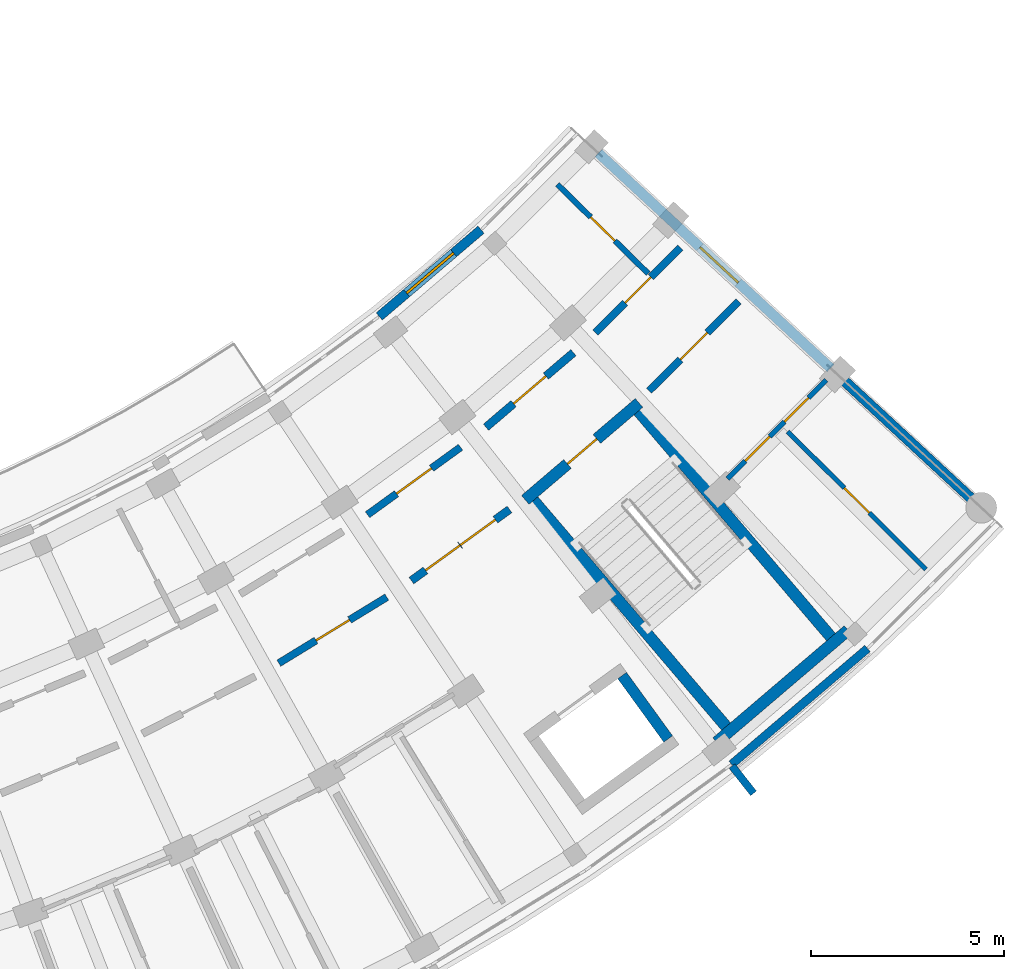
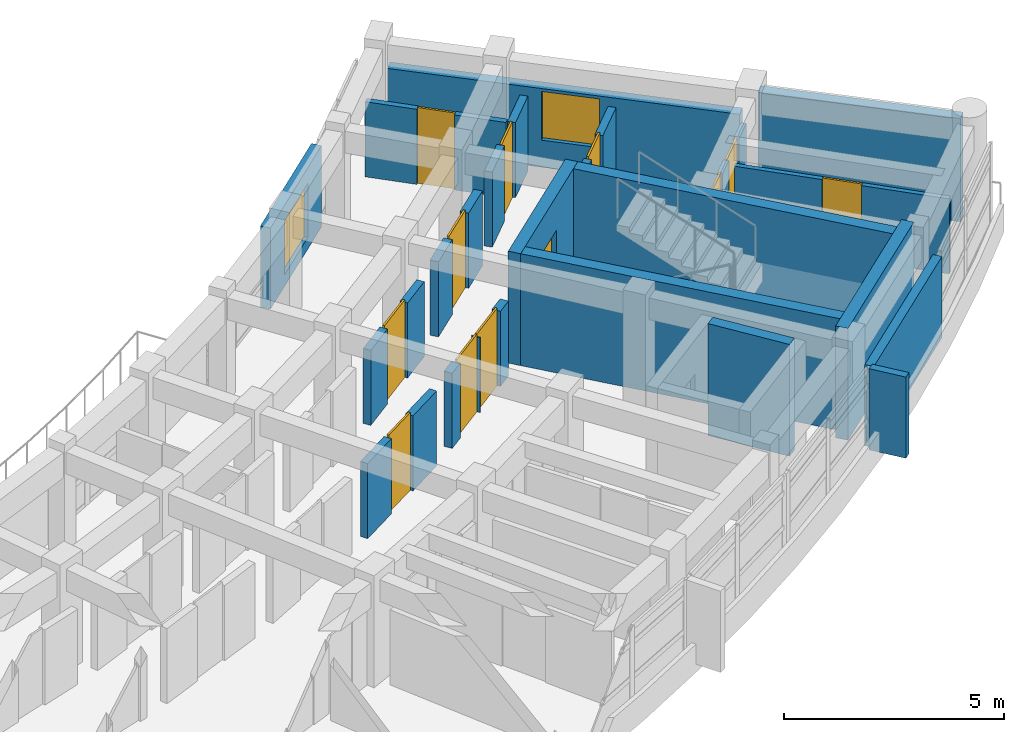
# One storey, part 39 of 56: 19 walls, 12 doors, 2 windows, 14 openings.
"""IFC4 building model written with IfcOpenShell, lengths in metres."""

from ifc_helpers import new_model, si_unit, direction, frame, frame_2d, origin, place, context, subcontext, project, spatial, rectangle, extrude, material, layer, layer_set, type_object, element, fill, save


model = new_model("IFC4")

# Units and contexts
model_context = context("Model", 3, precision=1e-05, world=origin(), true_north=direction((0.0, 1.0)))
body_context = subcontext(model_context, "Body", "Model", "MODEL_VIEW")
ifc_project = project(units=[si_unit("LENGTHUNIT", "METRE"), si_unit("AREAUNIT", "SQUARE_METRE"), si_unit("VOLUMEUNIT", "CUBIC_METRE"), si_unit("PLANEANGLEUNIT", "RADIAN"), si_unit("MASSUNIT", "GRAM", prefix="KILO")], contexts=[model_context])

# Site, building, storey
site_placement = place(None, origin())
site = spatial("IfcSite", under=ifc_project, at=site_placement, CompositionType="ELEMENT")
building_placement = place(site_placement, origin())
building = spatial("IfcBuilding", under=site, at=building_placement, Name="Zimvara Arc Housing Community", CompositionType="ELEMENT")
storey_placement = place(building_placement, frame((0.0, 0.0, 17.39990234375)))
storey = spatial("IfcBuildingStorey", under=building, at=storey_placement, Name="L05", CompositionType="ELEMENT", Elevation=17.39990234375)

# Wall
ifc_material_1 = material(Name="Board-Marked Fair-Faced Concrete C35/45", Category="concrete")
ifc_layer_1 = layer(ifc_material_1, 0.219970703125)
ifc_layer_set_1 = layer_set([ifc_layer_1], Name="Board-Marked Fair-Faced Concrete C35/45")
wall_type_1 = type_object("IfcWallType", Name="EWL-CONC-220", PredefinedType="SOLIDWALL", material=ifc_layer_set_1)
wall_1_placement = place(storey_placement, frame((162.71630859375, 63.208740234375, 0.0), z_axis=(0.0, 0.0, 1.0), x_axis=(0.760968923704, 0.64878833001, 0.0)))
element("IfcWall", 1, at=wall_1_placement, inside=storey, type_object=wall_type_1, Name="ewall:blkD:L05:out:b8", PredefinedType="SOLIDWALL", context=body_context, shape_type="SweptSolid", body=[
    extrude(rectangle(XDim=4.62255859375, YDim=0.219970703125, at=frame_2d((2.311279296875, 0.0))), origin(), (0.0, 0.0, 1.0), 2.25),
])

# Wall, opening, window
ifc_material_2 = material(Name="Board-Marked Fair-Faced Concrete C35/45", Category="concrete")
ifc_layer_2 = layer(ifc_material_2, 0.264892578125)
ifc_layer_set_2 = layer_set([ifc_layer_2], Name="Board-Marked Fair-Faced Concrete C35/45")
wall_type_2 = type_object("IfcWallType", Name="EWL-CONC-265", PredefinedType="SOLIDWALL", material=ifc_layer_set_2)
wall_2_placement = place(storey_placement, frame((159.261962890625, 79.04052734375, 0.0), z_axis=(0.0, 0.0, 1.0), x_axis=(0.733738684326, -0.679431779595, 0.0)))
wall_2 = element("IfcWall", 2, at=wall_2_placement, inside=storey, type_object=wall_type_2, Name="ewall:blkD:L05:gN", PredefinedType="SOLIDWALL", context=body_context, shape_type="SweptSolid", body=[
    extrude(rectangle(XDim=8.199951171875, YDim=0.264892578125, at=frame_2d((4.10009765625, 0.0))), origin(), (0.0, 0.0, 1.0), 2.18017578125),
])
opening_1_placement = place(wall_2_placement, frame((3.590087890625, 0.0, 0.75)))
opening_1 = element("IfcOpeningElement", 3, at=opening_1_placement, cuts=wall_2, Name="Opening W12", PredefinedType="OPENING", context=body_context, shape_type="SweptSolid", body=[
    extrude(rectangle(XDim=1.35009765625, YDim=1.35009765625, at=frame_2d((0.675048828125, 0.675048828125))), frame((0.0, 0.142333984375, 0.0), z_axis=(0.0, -1.0, 0.0), x_axis=(1.0, 0.0, 0.0)), (0.0, 0.0, 1.0), 0.284912109375),
])
ifc_material_3 = material(Name="Solar Control Low-E Double Glazing", Category="glass")
window_type_1 = type_object("IfcWindowType", Name="WIN-RES-1350x1350", PartitioningType="DOUBLE_PANEL_VERTICAL", PredefinedType="WINDOW", material=ifc_material_3)
window_1_placement = place(opening_1_placement, origin())
window_1 = element("IfcWindow", 4, at=window_1_placement, inside=storey, type_object=window_type_1, Name="win:blkD:L05:gN:w", OverallHeight=1.35009765625, OverallWidth=1.35009765625, PartitioningType="DOUBLE_PANEL_VERTICAL", PredefinedType="WINDOW", context=body_context, shape_type="SweptSolid", body=[
    extrude(rectangle(XDim=1.35009765625, YDim=1.35009765625, at=frame_2d((0.675048828125, 0.675048828125))), frame((0.0, 0.030029296875, 0.0), z_axis=(0.0, -1.0, 0.0), x_axis=(1.0, 0.0, 0.0)), (0.0, 0.0, 1.0), 0.06005859375),
])
fill(opening_1, window_1)

# Wall
ifc_material_4 = material(Name="Board-Marked Fair-Faced Concrete C35/45", Category="concrete")
ifc_layer_3 = layer(ifc_material_4, 0.195068359375)
ifc_layer_set_3 = layer_set([ifc_layer_3], Name="Board-Marked Fair-Faced Concrete C35/45")
wall_type_3 = type_object("IfcWallType", Name="EWL-PARA-195", PredefinedType="PARAPET", material=ifc_layer_set_3)
wall_3_placement = place(storey_placement, frame((162.725830078125, 63.164306640625, 0.0), z_axis=(0.0, 0.0, 1.0), x_axis=(0.618456270212, -0.785819217019, 0.0)))
element("IfcWall", 5, at=wall_3_placement, inside=storey, type_object=wall_type_3, Name="finwall:blkD:L05:out:b8", PredefinedType="PARAPET", context=body_context, shape_type="SweptSolid", body=[
    extrude(rectangle(XDim=0.900146484375, YDim=0.195068359375, at=frame_2d((0.4501953125, 0.0))), origin(), (0.0, 0.0, 1.0), 2.25),
])

# Wall, opening, window
ifc_material_5 = material(Name="Pigmented Fair-Faced Concrete C35/45", Category="concrete")
ifc_layer_4 = layer(ifc_material_5, 0.2451171875)
ifc_layer_set_4 = layer_set([ifc_layer_4], Name="Pigmented Fair-Faced Concrete C35/45")
wall_type_4 = type_object("IfcWallType", Name="EWL-PIGM-245", PredefinedType="SOLIDWALL", material=ifc_layer_set_4)
wall_4_placement = place(storey_placement, frame((153.588623046875, 74.80810546875, 0.0), z_axis=(0.0, 0.0, 1.0), x_axis=(0.760985425115, 0.648768974876, 0.0)))
wall_4 = element("IfcWall", 6, at=wall_4_placement, inside=storey, type_object=wall_type_4, Name="ewall:blkD:L05:in:b8", PredefinedType="SOLIDWALL", context=body_context, shape_type="SweptSolid", body=[
    extrude(rectangle(XDim=3.463623046875, YDim=0.2451171875, at=frame_2d((1.73193359375, 0.0))), origin(), (0.0, 0.0, 1.0), 2.25),
])
opening_2_placement = place(wall_4_placement, frame((0.931884765625, 0.0, 0.320068359375)))
opening_2 = element("IfcOpeningElement", 7, at=opening_2_placement, cuts=wall_4, Name="Opening W03", PredefinedType="OPENING", context=body_context, shape_type="SweptSolid", body=[
    extrude(rectangle(XDim=1.60009765625, YDim=1.5, at=frame_2d((0.800048828125, 0.75))), frame((0.0, 0.132568359375, 0.0), z_axis=(0.0, -1.0, 0.0), x_axis=(1.0, 0.0, 0.0)), (0.0, 0.0, 1.0), 0.26513671875),
])
ifc_material_6 = material(Name="Solar Control Low-E Double Glazing", Category="glass")
window_type_2 = type_object("IfcWindowType", Name="WIN-RES-1600x1500", PartitioningType="DOUBLE_PANEL_VERTICAL", PredefinedType="WINDOW", material=ifc_material_6)
window_2_placement = place(opening_2_placement, origin())
window_2 = element("IfcWindow", 8, at=window_2_placement, inside=storey, type_object=window_type_2, Name="win:blkD:L05:in:b8", OverallHeight=1.5, OverallWidth=1.60009765625, PartitioningType="DOUBLE_PANEL_VERTICAL", PredefinedType="WINDOW", context=body_context, shape_type="SweptSolid", body=[
    extrude(rectangle(XDim=1.60009765625, YDim=1.5, at=frame_2d((0.800048828125, 0.75))), frame((0.0, 0.030029296875, 0.0), z_axis=(0.0, -1.0, 0.0), x_axis=(1.0, 0.0, 0.0)), (0.0, 0.0, 1.0), 0.06005859375),
])
fill(opening_2, window_2)

# Wall, openings, doors
ifc_material_7 = material(Name="Concrete C35/45", Category="concrete")
ifc_layer_5 = layer(ifc_material_7, 0.2099609375)
ifc_layer_set_5 = layer_set([ifc_layer_5], Name="Concrete C35/45")
wall_type_5 = type_object("IfcWallType", Name="IWL-CCF-210", PredefinedType="SOLIDWALL", material=ifc_layer_set_5)
wall_5_placement = place(storey_placement, frame((154.4228515625, 67.968017578125, 0.0), z_axis=(0.0, 0.0, 1.0), x_axis=(0.809516127005, 0.587097641043, 0.0)))
wall_5 = element("IfcWall", 9, at=wall_5_placement, inside=storey, type_object=wall_type_5, Name="iwall:blkD:L05:ll_div:b7", PredefinedType="SOLIDWALL", context=body_context, shape_type="SweptSolid", body=[
    extrude(rectangle(XDim=3.13720703125, YDim=0.2099609375, at=frame_2d((1.568603515625, 0.0))), origin(), (0.0, 0.0, 1.0), 2.080078125),
])
opening_3_placement = place(wall_5_placement, frame((0.449951171875, 0.0, 0.0)))
opening_3 = element("IfcOpeningElement", 10, at=opening_3_placement, cuts=wall_5, Name="Opening FD-CCF1", PredefinedType="OPENING", context=body_context, shape_type="SweptSolid", body=[
    extrude(rectangle(XDim=1.10009765625, YDim=2.14990234375, at=frame_2d((0.550048828125, 1.074951171875))), frame((0.0, 0.114990234375, 0.0), z_axis=(0.0, -1.0, 0.0), x_axis=(1.0, 0.0, 0.0)), (0.0, 0.0, 1.0), 0.22998046875),
])
opening_4_placement = place(wall_5_placement, frame((1.56689453125, 0.0, 0.0)))
opening_4 = element("IfcOpeningElement", 11, at=opening_4_placement, cuts=wall_5, Name="Opening D07", PredefinedType="OPENING", context=body_context, shape_type="SweptSolid", body=[
    extrude(rectangle(XDim=1.1201171875, YDim=2.14990234375, at=frame_2d((0.56005859375, 1.074951171875))), frame((0.0, 0.114990234375, 0.0), z_axis=(0.0, -1.0, 0.0), x_axis=(1.0, 0.0, 0.0)), (0.0, 0.0, 1.0), 0.22998046875),
])
ifc_material_8 = material(Name="Mozambican Hardwood", Category="wood")
door_type_1 = type_object("IfcDoorType", Name="IDR-AMN-1120x2150", OperationType="NOTDEFINED", PredefinedType="DOOR", material=ifc_material_8)
door_1_placement = place(opening_4_placement, origin())
door_1 = element("IfcDoor", 12, at=door_1_placement, inside=storey, type_object=door_type_1, Name="idoor:blkD:L05:rs_in:b7", OperationType="SINGLE_SWING_LEFT", OverallHeight=2.14990234375, OverallWidth=1.1201171875, PredefinedType="DOOR", context=body_context, shape_type="SweptSolid", body=[
    extrude(rectangle(XDim=1.1201171875, YDim=2.14990234375, at=frame_2d((0.56005859375, 1.074951171875))), frame((0.0, 0.02490234375, 0.0), z_axis=(0.0, -1.0, 0.0), x_axis=(1.0, 0.0, 0.0)), (0.0, 0.0, 1.0), 0.050048828125),
])
fill(opening_4, door_1)
ifc_material_9 = material(Name="Anodised Aluminium AW-6063", Category="aluminium")
door_type_2 = type_object("IfcDoorType", Name="IDR-CCF-1100x2150", OperationType="NOTDEFINED", PredefinedType="DOOR", material=ifc_material_9)
door_2_placement = place(opening_3_placement, origin())
door_2 = element("IfcDoor", 13, at=door_2_placement, inside=storey, type_object=door_type_2, Name="idoor:blkD:L05:ll_in:b7", OperationType="SINGLE_SWING_RIGHT", OverallHeight=2.14990234375, OverallWidth=1.10009765625, PredefinedType="DOOR", context=body_context, shape_type="SweptSolid", body=[
    extrude(rectangle(XDim=1.10009765625, YDim=2.14990234375, at=frame_2d((0.550048828125, 1.074951171875))), frame((0.0, 0.02490234375, 0.0), z_axis=(0.0, -1.0, 0.0), x_axis=(1.0, 0.0, 0.0)), (0.0, 0.0, 1.0), 0.050048828125),
])
fill(opening_3, door_2)

# Wall, opening, door
wall_6_placement = place(storey_placement, frame((156.354248046875, 71.93994140625, 0.0), z_axis=(0.0, 0.0, 1.0), x_axis=(0.760991187621, 0.648762215579, 0.0)))
wall_6 = element("IfcWall", 14, at=wall_6_placement, inside=storey, type_object=wall_type_5, Name="iwall:blkD:L05:ccf_div:b8", PredefinedType="SOLIDWALL", context=body_context, shape_type="SweptSolid", body=[
    extrude(rectangle(XDim=2.975830078125, YDim=0.2099609375, at=frame_2d((1.48779296875, 0.0))), origin(), (0.0, 0.0, 1.0), 2.080078125),
])
opening_5_placement = place(wall_6_placement, frame((0.93798828125, 0.0, 0.0)))
opening_5 = element("IfcOpeningElement", 15, at=opening_5_placement, cuts=wall_6, Name="Opening FD-CCF1", PredefinedType="OPENING", context=body_context, shape_type="SweptSolid", body=[
    extrude(rectangle(XDim=1.10009765625, YDim=2.14990234375, at=frame_2d((0.550048828125, 1.074951171875))), frame((0.0, 0.114990234375, 0.0), z_axis=(0.0, -1.0, 0.0), x_axis=(1.0, 0.0, 0.0)), (0.0, 0.0, 1.0), 0.22998046875),
])
door_3_placement = place(opening_5_placement, origin())
door_3 = element("IfcDoor", 16, at=door_3_placement, inside=storey, type_object=door_type_2, Name="idoor:blkD:L05:ccf_in:b8", OperationType="SINGLE_SWING_LEFT", OverallHeight=2.14990234375, OverallWidth=1.10009765625, PredefinedType="DOOR", context=body_context, shape_type="SweptSolid", body=[
    extrude(rectangle(XDim=1.10009765625, YDim=2.14990234375, at=frame_2d((0.550048828125, 1.074951171875))), frame((0.0, 0.02490234375, 0.0), z_axis=(0.0, -1.0, 0.0), x_axis=(1.0, 0.0, 0.0)), (0.0, 0.0, 1.0), 0.050048828125),
])
fill(opening_5, door_3)

ifc_material_10 = material(Name="Concrete C35/45", Category="concrete")
ifc_layer_6 = layer(ifc_material_10, 0.18994140625)
ifc_layer_set_6 = layer_set([ifc_layer_6], Name="Concrete C35/45")
wall_type_6 = type_object("IfcWallType", Name="IWL-CORR-190", PredefinedType="SOLIDWALL", material=ifc_layer_set_6)
wall_7_placement = place(storey_placement, frame((150.98876953125, 65.8291015625, 0.0), z_axis=(0.0, 0.0, 1.0), x_axis=(0.853090237845, 0.521763400492, 0.0)))
wall_7 = element("IfcWall", 17, at=wall_7_placement, inside=storey, type_object=wall_type_6, Name="iwall:blkD:L05:corr_out:b6", PredefinedType="SOLIDWALL", context=body_context, shape_type="SweptSolid", body=[
    extrude(rectangle(XDim=3.27685546875, YDim=0.18994140625, at=frame_2d((1.638427734375, 0.0))), origin(), (0.0, 0.0, 1.0), 2.080078125),
])
opening_6_placement = place(wall_7_placement, frame((1.12841796875, 0.0, 0.0)))
opening_6 = element("IfcOpeningElement", 18, at=opening_6_placement, cuts=wall_7, Name="Opening FD-FL2", PredefinedType="OPENING", context=body_context, shape_type="SweptSolid", body=[
    extrude(rectangle(XDim=1.02001953125, YDim=2.14990234375, at=frame_2d((0.510009765625, 1.074951171875))), frame((0.0, 0.10498046875, 0.0), z_axis=(0.0, -1.0, 0.0), x_axis=(1.0, 0.0, 0.0)), (0.0, 0.0, 1.0), 0.2099609375),
])
ifc_material_11 = material(Name="Mozambican Hardwood", Category="wood")
door_type_3 = type_object("IfcDoorType", Name="IDR-FLAT-1020x2150", OperationType="NOTDEFINED", PredefinedType="DOOR", material=ifc_material_11)
door_4_placement = place(opening_6_placement, origin())
door_4 = element("IfcDoor", 19, at=door_4_placement, inside=storey, type_object=door_type_3, Name="idoor:blkD:L05:flat:b6", OperationType="SINGLE_SWING_LEFT", OverallHeight=2.14990234375, OverallWidth=1.02001953125, PredefinedType="DOOR", context=body_context, shape_type="SweptSolid", body=[
    extrude(rectangle(XDim=1.02001953125, YDim=2.14990234375, at=frame_2d((0.510009765625, 1.074951171875))), frame((0.0, 0.02490234375, 0.0), z_axis=(0.0, -1.0, 0.0), x_axis=(1.0, 0.0, 0.0)), (0.0, 0.0, 1.0), 0.050048828125),
])
fill(opening_6, door_4)

wall_8_placement = place(storey_placement, frame((153.285400390625, 69.673583984375, 0.0), z_axis=(0.0, 0.0, 1.0), x_axis=(0.809505174959, 0.587112741911, 0.0)))
wall_8 = element("IfcWall", 20, at=wall_8_placement, inside=storey, type_object=wall_type_6, Name="iwall:blkD:L05:ra_div:b7", PredefinedType="SOLIDWALL", context=body_context, shape_type="SweptSolid", body=[
    extrude(rectangle(XDim=2.97607421875, YDim=0.18994140625, at=frame_2d((1.488037109375, 0.0))), origin(), (0.0, 0.0, 1.0), 2.080078125),
])
opening_7_placement = place(wall_8_placement, frame((0.927978515625, 0.0, 0.0)))
opening_7 = element("IfcOpeningElement", 21, at=opening_7_placement, cuts=wall_8, Name="Opening D07", PredefinedType="OPENING", context=body_context, shape_type="SweptSolid", body=[
    extrude(rectangle(XDim=1.1201171875, YDim=2.14990234375, at=frame_2d((0.56005859375, 1.074951171875))), frame((0.0, 0.10498046875, 0.0), z_axis=(0.0, -1.0, 0.0), x_axis=(1.0, 0.0, 0.0)), (0.0, 0.0, 1.0), 0.2099609375),
])
door_5_placement = place(opening_7_placement, origin())
door_5 = element("IfcDoor", 22, at=door_5_placement, inside=storey, type_object=door_type_1, Name="idoor:blkD:L05:ra_d:b7", OperationType="SINGLE_SWING_RIGHT", OverallHeight=2.14990234375, OverallWidth=1.1201171875, PredefinedType="DOOR", context=body_context, shape_type="SweptSolid", body=[
    extrude(rectangle(XDim=1.1201171875, YDim=2.14990234375, at=frame_2d((0.56005859375, 1.074951171875))), frame((0.0, 0.02490234375, 0.0), z_axis=(0.0, -1.0, 0.0), x_axis=(1.0, 0.0, 0.0)), (0.0, 0.0, 1.0), 0.050048828125),
])
fill(opening_7, door_5)

wall_9_placement = place(storey_placement, frame((160.576416015625, 72.8837890625, 0.0), z_axis=(0.0, 0.0, 1.0), x_axis=(0.70773973846, 0.706473256822, 0.0)))
wall_9 = element("IfcWall", 23, at=wall_9_placement, inside=storey, type_object=wall_type_6, Name="iwall:blkD:L05:corr_out:b9", PredefinedType="SOLIDWALL", context=body_context, shape_type="SweptSolid", body=[
    extrude(rectangle(XDim=3.277099609375, YDim=0.18994140625, at=frame_2d((1.638671875, 0.0))), origin(), (0.0, 0.0, 1.0), 2.080078125),
])
opening_8_placement = place(wall_9_placement, frame((1.1484375, 0.0, 0.0)))
opening_8 = element("IfcOpeningElement", 24, at=opening_8_placement, cuts=wall_9, Name="Opening FD-FL1", PredefinedType="OPENING", context=body_context, shape_type="SweptSolid", body=[
    extrude(rectangle(XDim=0.97998046875, YDim=2.14990234375, at=frame_2d((0.489990234375, 1.074951171875))), frame((0.0, 0.10498046875, 0.0), z_axis=(0.0, -1.0, 0.0), x_axis=(1.0, 0.0, 0.0)), (0.0, 0.0, 1.0), 0.2099609375),
])
ifc_material_12 = material(Name="Mozambican Hardwood", Category="wood")
door_type_4 = type_object("IfcDoorType", Name="IDR-FLAT-0980x2150", OperationType="NOTDEFINED", PredefinedType="DOOR", material=ifc_material_12)
door_6_placement = place(opening_8_placement, origin())
door_6 = element("IfcDoor", 25, at=door_6_placement, inside=storey, type_object=door_type_4, Name="idoor:blkD:L05:flat:b9", OperationType="SINGLE_SWING_RIGHT", OverallHeight=2.14990234375, OverallWidth=0.97998046875, PredefinedType="DOOR", context=body_context, shape_type="SweptSolid", body=[
    extrude(rectangle(XDim=0.97998046875, YDim=2.14990234375, at=frame_2d((0.489990234375, 1.074951171875))), frame((0.0, 0.02490234375, 0.0), z_axis=(0.0, -1.0, 0.0), x_axis=(1.0, 0.0, 0.0)), (0.0, 0.0, 1.0), 0.050048828125),
])
fill(opening_8, door_6)

wall_10_placement = place(storey_placement, frame((159.186279296875, 74.390380859375, 0.0), z_axis=(0.0, 0.0, 1.0), x_axis=(0.70773330139, 0.706479705373, 0.0)))
wall_10 = element("IfcWall", 26, at=wall_10_placement, inside=storey, type_object=wall_type_6, Name="iwall:blkD:L05:corr_in:b9", PredefinedType="SOLIDWALL", context=body_context, shape_type="SweptSolid", body=[
    extrude(rectangle(XDim=3.115966796875, YDim=0.18994140625, at=frame_2d((1.55810546875, 0.0))), origin(), (0.0, 0.0, 1.0), 2.080078125),
])
opening_9_placement = place(wall_10_placement, frame((1.087890625, 0.0, 0.0)))
opening_9 = element("IfcOpeningElement", 27, at=opening_9_placement, cuts=wall_10, Name="Opening D03", PredefinedType="OPENING", context=body_context, shape_type="SweptSolid", body=[
    extrude(rectangle(XDim=0.93994140625, YDim=2.10009765625, at=frame_2d((0.469970703125, 1.050048828125))), frame((0.0, 0.10498046875, 0.0), z_axis=(0.0, -1.0, 0.0), x_axis=(1.0, 0.0, 0.0)), (0.0, 0.0, 1.0), 0.2099609375),
])
ifc_material_13 = material(Name="Mozambican Hardwood", Category="wood")
door_type_5 = type_object("IfcDoorType", Name="IDR-RM-0940x2100", OperationType="NOTDEFINED", PredefinedType="DOOR", material=ifc_material_13)
door_7_placement = place(opening_9_placement, origin())
door_7 = element("IfcDoor", 28, at=door_7_placement, inside=storey, type_object=door_type_5, Name="idoor:blkD:L05:in_rm:b9", OperationType="SINGLE_SWING_LEFT", OverallHeight=2.10009765625, OverallWidth=0.93994140625, PredefinedType="DOOR", context=body_context, shape_type="SweptSolid", body=[
    extrude(rectangle(XDim=0.93994140625, YDim=2.10009765625, at=frame_2d((0.469970703125, 1.050048828125))), frame((0.0, 0.02490234375, 0.0), z_axis=(0.0, -1.0, 0.0), x_axis=(1.0, 0.0, 0.0)), (0.0, 0.0, 1.0), 0.050048828125),
])
fill(opening_9, door_7)

ifc_material_14 = material(Name="Painted Acoustic Plasterboard")
ifc_layer_7 = layer(ifc_material_14, 0.1201171875)
ifc_layer_set_7 = layer_set([ifc_layer_7], Name="Painted Acoustic Plasterboard")
wall_type_7 = type_object("IfcWallType", Name="IWL-PART-120", PredefinedType="PARTITIONING", material=ifc_layer_set_7)
wall_11_placement = place(storey_placement, frame((164.169921875, 71.823974609375, 0.0), z_axis=(0.0, 0.0, 1.0), x_axis=(0.708531494679, -0.70567919131, 0.0)))
wall_11 = element("IfcWall", 29, at=wall_11_placement, inside=storey, type_object=wall_type_7, Name="iwall:blkD:L05:bed_div:b9", PredefinedType="PARTITIONING", context=body_context, shape_type="SweptSolid", body=[
    extrude(rectangle(XDim=5.050048828125, YDim=0.1201171875, at=frame_2d((2.52490234375, 0.0))), origin(), (0.0, 0.0, 1.0), 2.080078125),
])
opening_10_placement = place(wall_11_placement, frame((2.06494140625, 0.0, 0.0)))
opening_10 = element("IfcOpeningElement", 30, at=opening_10_placement, cuts=wall_11, Name="Opening D02", PredefinedType="OPENING", context=body_context, shape_type="SweptSolid", body=[
    extrude(rectangle(XDim=0.919921875, YDim=2.10009765625, at=frame_2d((0.4599609375, 1.050048828125))), frame((0.0, 0.070068359375, 0.0), z_axis=(0.0, -1.0, 0.0), x_axis=(1.0, 0.0, 0.0)), (0.0, 0.0, 1.0), 0.14013671875),
])
ifc_material_15 = material(Name="Mozambican Hardwood", Category="wood")
door_type_6 = type_object("IfcDoorType", Name="IDR-RM-0920x2100", OperationType="NOTDEFINED", PredefinedType="DOOR", material=ifc_material_15)
door_8_placement = place(opening_10_placement, origin())
door_8 = element("IfcDoor", 31, at=door_8_placement, inside=storey, type_object=door_type_6, Name="idoor:blkD:L05:bed_d:b9", OperationType="SINGLE_SWING_LEFT", OverallHeight=2.10009765625, OverallWidth=0.919921875, PredefinedType="DOOR", context=body_context, shape_type="SweptSolid", body=[
    extrude(rectangle(XDim=0.919921875, YDim=2.10009765625, at=frame_2d((0.4599609375, 1.050048828125))), frame((0.0, 0.02490234375, 0.0), z_axis=(0.0, -1.0, 0.0), x_axis=(1.0, 0.0, 0.0)), (0.0, 0.0, 1.0), 0.050048828125),
])
fill(opening_10, door_8)

# Wall, openings, doors
ifc_material_16 = material(Name="Painted Acoustic Plasterboard")
ifc_layer_8 = layer(ifc_material_16, 0.125)
ifc_layer_set_8 = layer_set([ifc_layer_8], Name="Painted Acoustic Plasterboard")
wall_type_8 = type_object("IfcWallType", Name="IWL-PART-125", PredefinedType="PARTITIONING", material=ifc_layer_set_8)
wall_12_placement = place(storey_placement, frame((162.609375, 70.60693359375, 0.0), z_axis=(0.0, 0.0, 1.0), x_axis=(0.707714058013, 0.70649898237, 0.0)))
wall_12 = element("IfcWall", 32, at=wall_12_placement, inside=storey, type_object=wall_type_8, Name="iwall:blkD:L05:srv:b9", PredefinedType="PARTITIONING", context=body_context, shape_type="SweptSolid", body=[
    extrude(rectangle(XDim=3.61669921875, YDim=0.125, at=frame_2d((1.808349609375, 0.0))), origin(), (0.0, 0.0, 1.0), 2.080078125),
])
opening_11_placement = place(wall_12_placement, frame((0.64990234375, 0.0, 0.0)))
opening_11 = element("IfcOpeningElement", 33, at=opening_11_placement, cuts=wall_12, Name="Opening D01", PredefinedType="OPENING", context=body_context, shape_type="SweptSolid", body=[
    extrude(rectangle(XDim=0.89990234375, YDim=2.10009765625, at=frame_2d((0.449951171875, 1.050048828125))), frame((0.0, 0.072509765625, 0.0), z_axis=(0.0, -1.0, 0.0), x_axis=(1.0, 0.0, 0.0)), (0.0, 0.0, 1.0), 0.14501953125),
])
opening_12_placement = place(wall_12_placement, frame((2.08642578125, 0.0, 0.0)))
opening_12 = element("IfcOpeningElement", 34, at=opening_12_placement, cuts=wall_12, Name="Opening D05", PredefinedType="OPENING", context=body_context, shape_type="SweptSolid", body=[
    extrude(rectangle(XDim=0.8798828125, YDim=2.10009765625, at=frame_2d((0.43994140625, 1.050048828125))), frame((0.0, 0.072509765625, 0.0), z_axis=(0.0, -1.0, 0.0), x_axis=(1.0, 0.0, 0.0)), (0.0, 0.0, 1.0), 0.14501953125),
])
ifc_material_17 = material(Name="Mozambican Hardwood", Category="wood")
door_type_7 = type_object("IfcDoorType", Name="IDR-RM-0900x2100", OperationType="NOTDEFINED", PredefinedType="DOOR", material=ifc_material_17)
door_9_placement = place(opening_11_placement, origin())
door_9 = element("IfcDoor", 35, at=door_9_placement, inside=storey, type_object=door_type_7, Name="idoor:blkD:L05:kit_liv:b9", OperationType="SINGLE_SWING_LEFT", OverallHeight=2.10009765625, OverallWidth=0.89990234375, PredefinedType="DOOR", context=body_context, shape_type="SweptSolid", body=[
    extrude(rectangle(XDim=0.89990234375, YDim=2.10009765625, at=frame_2d((0.449951171875, 1.050048828125))), frame((0.0, 0.02490234375, 0.0), z_axis=(0.0, -1.0, 0.0), x_axis=(1.0, 0.0, 0.0)), (0.0, 0.0, 1.0), 0.050048828125),
])
fill(opening_11, door_9)
ifc_material_18 = material(Name="Mozambican Hardwood", Category="wood")
door_type_8 = type_object("IfcDoorType", Name="IDR-WC-0880x2100", OperationType="NOTDEFINED", PredefinedType="DOOR", material=ifc_material_18)
door_10_placement = place(opening_12_placement, origin())
door_10 = element("IfcDoor", 36, at=door_10_placement, inside=storey, type_object=door_type_8, Name="idoor:blkD:L05:bath_d:b9", OperationType="SINGLE_SWING_RIGHT", OverallHeight=2.10009765625, OverallWidth=0.8798828125, PredefinedType="DOOR", context=body_context, shape_type="SweptSolid", body=[
    extrude(rectangle(XDim=0.8798828125, YDim=2.10009765625, at=frame_2d((0.43994140625, 1.050048828125))), frame((0.0, 0.02490234375, 0.0), z_axis=(0.0, -1.0, 0.0), x_axis=(1.0, 0.0, 0.0)), (0.0, 0.0, 1.0), 0.050048828125),
])
fill(opening_12, door_10)

# Wall, opening, door
ifc_material_19 = material(Name="Painted Acoustic Plasterboard")
ifc_layer_9 = layer(ifc_material_19, 0.14501953125)
ifc_layer_set_9 = layer_set([ifc_layer_9], Name="Painted Acoustic Plasterboard")
wall_type_9 = type_object("IfcWallType", Name="IWL-WET-145", PredefinedType="PARTITIONING", material=ifc_layer_set_9)
wall_13_placement = place(storey_placement, frame((158.19970703125, 78.23046875, 0.0), z_axis=(0.0, 0.0, 1.0), x_axis=(0.713587506757, -0.700566106945, 0.0)))
wall_13 = element("IfcWall", 37, at=wall_13_placement, inside=storey, type_object=wall_type_9, Name="iwall:blkD:L05:ens:b9", PredefinedType="PARTITIONING", context=body_context, shape_type="SweptSolid", body=[
    extrude(rectangle(XDim=3.2998046875, YDim=0.14501953125, at=frame_2d((1.64990234375, 0.0))), origin(), (0.0, 0.0, 1.0), 2.080078125),
])
opening_13_placement = place(wall_13_placement, frame((1.2099609375, 0.0, 0.0)))
opening_13 = element("IfcOpeningElement", 38, at=opening_13_placement, cuts=wall_13, Name="Opening D05", PredefinedType="OPENING", context=body_context, shape_type="SweptSolid", body=[
    extrude(rectangle(XDim=0.8798828125, YDim=2.10009765625, at=frame_2d((0.43994140625, 1.050048828125))), frame((0.0, 0.08251953125, 0.0), z_axis=(0.0, -1.0, 0.0), x_axis=(1.0, 0.0, 0.0)), (0.0, 0.0, 1.0), 0.1650390625),
])
door_11_placement = place(opening_13_placement, origin())
door_11 = element("IfcDoor", 39, at=door_11_placement, inside=storey, type_object=door_type_8, Name="idoor:blkD:L05:ens_d:b9", OperationType="SINGLE_SWING_RIGHT", OverallHeight=2.10009765625, OverallWidth=0.8798828125, PredefinedType="DOOR", context=body_context, shape_type="SweptSolid", body=[
    extrude(rectangle(XDim=0.8798828125, YDim=2.10009765625, at=frame_2d((0.43994140625, 1.050048828125))), frame((0.0, 0.02490234375, 0.0), z_axis=(0.0, -1.0, 0.0), x_axis=(1.0, 0.0, 0.0)), (0.0, 0.0, 1.0), 0.050048828125),
])
fill(opening_13, door_11)

# Wall
ifc_material_20 = material(Name="Concrete C40/50", Category="concrete")
ifc_layer_10 = layer(ifc_material_20, 0.280029296875)
ifc_layer_set_10 = layer_set([ifc_layer_10], Name="Concrete C40/50")
wall_type_10 = type_object("IfcWallType", Name="WL-CORE-280", PredefinedType="SHEAR", material=ifc_layer_set_10)
wall_14_placement = place(storey_placement, frame((159.87939453125, 65.509033203125, 0.0), z_axis=(0.0, 0.0, 1.0), x_axis=(0.58704837408, -0.809551855344, 0.0)))
element("IfcWall", 40, at=wall_14_placement, inside=storey, type_object=wall_type_10, Name="lwall:LP-D2:L05:right", PredefinedType="SHEAR", context=body_context, shape_type="SweptSolid", body=[
    extrude(rectangle(XDim=2.02978515625, YDim=0.280029296875, at=frame_2d((1.014892578125, 0.0))), origin(), (0.0, 0.0, 1.0), 3.10009765625),
])

# Wall, opening, door
ifc_material_21 = material(Name="Concrete C40/50", Category="concrete")
ifc_layer_11 = layer(ifc_material_21, 0.300048828125)
ifc_layer_set_11 = layer_set([ifc_layer_11], Name="Concrete C40/50")
wall_type_11 = type_object("IfcWallType", Name="WL-CORE-300", PredefinedType="SHEAR", material=ifc_layer_set_11)
wall_15_placement = place(storey_placement, frame((157.37158203125, 70.0576171875, 0.0), z_axis=(0.0, 0.0, 1.0), x_axis=(0.760990583254, 0.648762924495, 0.0)))
wall_15 = element("IfcWall", 41, at=wall_15_placement, inside=storey, type_object=wall_type_11, Name="cwall:ST-D2:L05:near", PredefinedType="SHEAR", context=body_context, shape_type="SweptSolid", body=[
    extrude(rectangle(XDim=3.8701171875, YDim=0.300048828125, at=frame_2d((1.93505859375, 0.0))), origin(), (0.0, 0.0, 1.0), 3.10009765625),
])
opening_14_placement = place(wall_15_placement, frame((1.43505859375, 0.0, 0.0)))
opening_14 = element("IfcOpeningElement", 42, at=opening_14_placement, cuts=wall_15, Name="Opening FD-ST1", PredefinedType="OPENING", context=body_context, shape_type="SweptSolid", body=[
    extrude(rectangle(XDim=1.0, YDim=2.14990234375, at=frame_2d((0.5, 1.074951171875))), frame((0.0, 0.159912109375, 0.0), z_axis=(0.0, -1.0, 0.0), x_axis=(1.0, 0.0, 0.0)), (0.0, 0.0, 1.0), 0.320068359375),
])
ifc_material_22 = material(Name="Anodised Aluminium AW-6063", Category="aluminium")
door_type_9 = type_object("IfcDoorType", Name="IDR-ST-1000x2150", OperationType="NOTDEFINED", PredefinedType="DOOR", material=ifc_material_22)
door_12_placement = place(opening_14_placement, origin())
door_12 = element("IfcDoor", 43, at=door_12_placement, inside=storey, type_object=door_type_9, Name="idoor:ST-D2:L05:entry", OperationType="SINGLE_SWING_LEFT", OverallHeight=2.14990234375, OverallWidth=1.0, PredefinedType="DOOR", context=body_context, shape_type="SweptSolid", body=[
    extrude(rectangle(XDim=1.0, YDim=2.14990234375, at=frame_2d((0.5, 1.074951171875))), frame((0.0, 0.02490234375, 0.0), z_axis=(0.0, -1.0, 0.0), x_axis=(1.0, 0.0, 0.0)), (0.0, 0.0, 1.0), 0.050048828125),
])
fill(opening_14, door_12)

# Walls
wall_16_placement = place(storey_placement, frame((162.3271484375, 63.78271484375, 0.0), z_axis=(0.0, 0.0, 1.0), x_axis=(0.760969560012, 0.648787583678, 0.0)))
element("IfcWall", 44, at=wall_16_placement, inside=storey, type_object=wall_type_11, Name="cwall:ST-D2:L05:far", PredefinedType="SHEAR", context=body_context, shape_type="SweptSolid", body=[
    extrude(rectangle(XDim=4.47021484375, YDim=0.300048828125, at=frame_2d((2.235107421875, 0.0))), origin(), (0.0, 0.0, 1.0), 3.10009765625),
])
wall_17_placement = place(storey_placement, frame((157.583251953125, 70.040771484375, 0.0), z_axis=(0.0, 0.0, 1.0), x_axis=(0.648762810187, -0.760990680704, 0.0)))
element("IfcWall", 45, at=wall_17_placement, inside=storey, type_object=wall_type_11, Name="cwall:ST-D2:L05:left", PredefinedType="SHEAR", context=body_context, shape_type="SweptSolid", body=[
    extrude(rectangle(XDim=7.68994140625, YDim=0.300048828125, at=frame_2d((3.844970703125, 0.0))), origin(), (0.0, 0.0, 1.0), 3.10009765625),
])
wall_18_placement = place(storey_placement, frame((160.2998046875, 72.35693359375, 0.0), z_axis=(0.0, 0.0, 1.0), x_axis=(0.648781194888, -0.760975006922, 0.0)))
element("IfcWall", 46, at=wall_18_placement, inside=storey, type_object=wall_type_11, Name="cwall:ST-D2:L05:right", PredefinedType="SHEAR", context=body_context, shape_type="SweptSolid", body=[
    extrude(rectangle(XDim=7.690185546875, YDim=0.300048828125, at=frame_2d((3.84521484375, 0.0))), origin(), (0.0, 0.0, 1.0), 3.10009765625),
])
ifc_material_23 = material(Name="Concrete C40/50", Category="concrete")
ifc_layer_12 = layer(ifc_material_23, 0.27001953125)
ifc_layer_set_12 = layer_set([ifc_layer_12], Name="Concrete C40/50")
wall_type_12 = type_object("IfcWallType", Name="WL-SHEAR-270", PredefinedType="SHEAR", material=ifc_layer_set_12)
wall_19_placement = place(storey_placement, frame((165.586669921875, 73.183837890625, 0.0), z_axis=(0.0, 0.0, 1.0), x_axis=(0.733739663667, -0.679430721974, 0.0)))
element("IfcWall", 47, at=wall_19_placement, inside=storey, type_object=wall_type_12, Name="swall:blkD:L05:east", PredefinedType="SHEAR", context=body_context, shape_type="SweptSolid", body=[
    extrude(rectangle(XDim=4.72021484375, YDim=0.27001953125, at=frame_2d((2.360107421875, 0.0))), origin(), (0.0, 0.0, 1.0), 2.860107421875),
])

save(model, "model.ifc")
